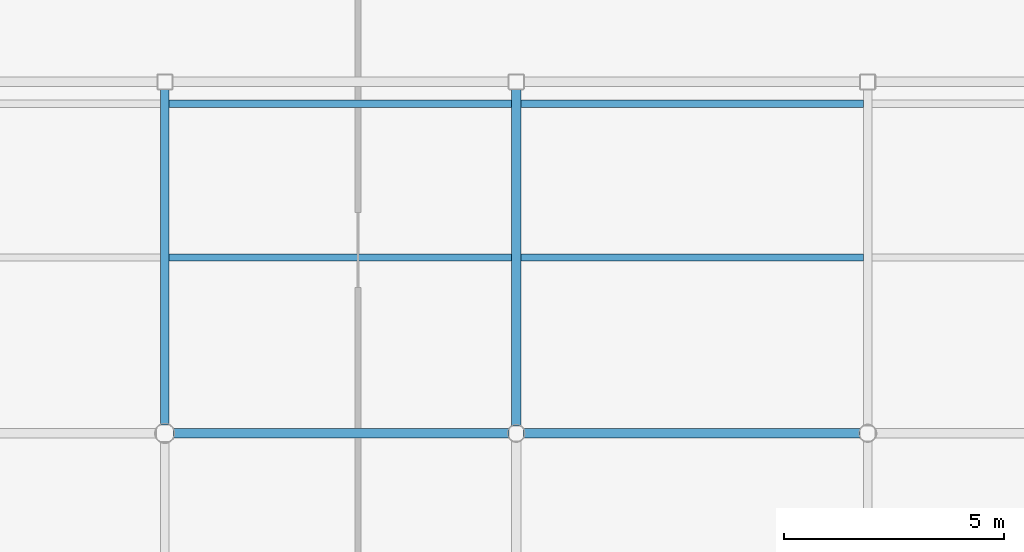
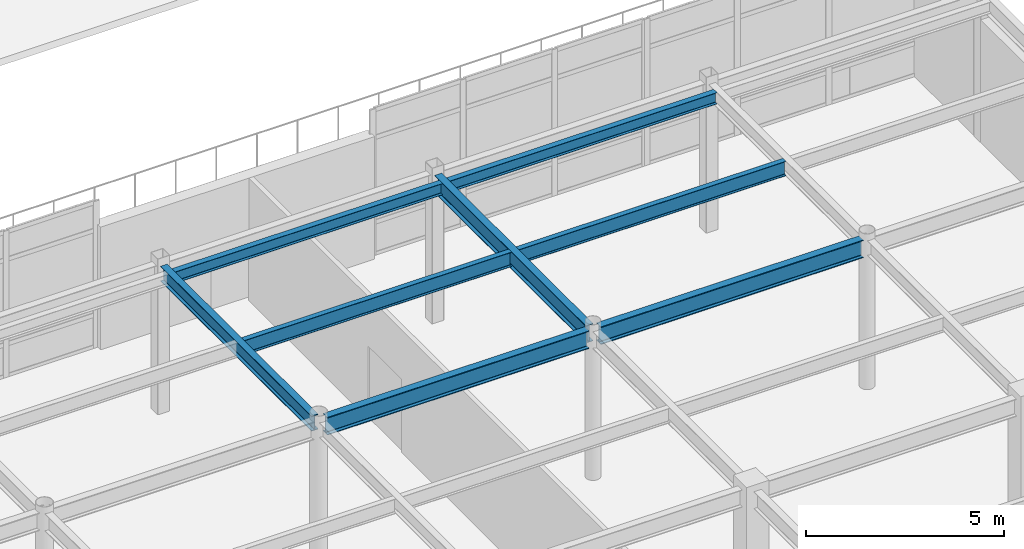
# One storey, part 41 of 117: 8 beams.
"""IFC4 building model written with IfcOpenShell, lengths in metres."""

from ifc_helpers import new_model, si_unit, direction, frame, origin, origin_2d, place, context, subcontext, project, spatial, i_section, extrude, material, material_profile, profile_set, type_object, element, save


model = new_model("IFC4")

# Units and contexts
model_context = context("Model", 3, precision=1e-05, world=origin(), true_north=direction((0.0, 1.0)))
body_context = subcontext(model_context, "Body", "Model", "MODEL_VIEW")
ifc_project = project(units=[si_unit("LENGTHUNIT", "METRE"), si_unit("AREAUNIT", "SQUARE_METRE"), si_unit("VOLUMEUNIT", "CUBIC_METRE"), si_unit("PLANEANGLEUNIT", "RADIAN"), si_unit("MASSUNIT", "GRAM", prefix="KILO")], contexts=[model_context])

# Site, building, storey
site_placement = place(None, origin())
site = spatial("IfcSite", under=ifc_project, at=site_placement, CompositionType="ELEMENT")
building_placement = place(site_placement, origin())
building = spatial("IfcBuilding", under=site, at=building_placement, Name="Solmirada Galleria", CompositionType="ELEMENT")
storey_placement = place(building_placement, frame((0.0, 0.0, 5.60009765625)))
storey = spatial("IfcBuildingStorey", under=building, at=storey_placement, Name="L01", CompositionType="ELEMENT", Elevation=5.60009765625)

# Beams
ifc_material = material(Name="Steel S355 / ASTM A992 Grade 50", Category="steel")
ifc_material_profile_1 = material_profile(ifc_material, i_section(OverallWidth=0.194091796875, OverallDepth=0.468994140625, WebThickness=0.0126953125, FlangeThickness=0.0205078125, FilletRadius=0.013916015625, at=origin_2d()), Name="W18X71")
ifc_profile_set_1 = profile_set([ifc_material_profile_1], Name="Steel S355 / ASTM A992 Grade 50")
beam_type_1 = type_object("IfcBeamType", Name="BM-GIRD-W18B", PredefinedType="BEAM", material=ifc_profile_set_1)
beam_1_placement = place(storey_placement, frame((120.0, 32.19189453125, 4.325439453125), z_axis=(0.0, 1.0, 0.0), x_axis=(-1.0, 0.0, 0.0)))
element("IfcBeam", 1, at=beam_1_placement, inside=storey, type_object=beam_type_1, Name="Primary girder L02 Y(120, 32..40)", PredefinedType="BEAM", context=body_context, shape_type="SweptSolid", body=[
    extrude(i_section(OverallWidth=0.194091796875, OverallDepth=0.468994140625, WebThickness=0.0126953125, FlangeThickness=0.0205078125, FilletRadius=0.013916015625, at=origin_2d()), origin(), (0.0, 0.0, 1.0), 7.630126953125),
])
ifc_material_profile_2 = material_profile(ifc_material, i_section(OverallWidth=0.214111328125, OverallDepth=0.549072265625, WebThickness=0.0146484375, FlangeThickness=0.023681640625, FilletRadius=0.014892578125, at=origin_2d()), Name="W21X93")
ifc_profile_set_2 = profile_set([ifc_material_profile_2], Name="Steel S355 / ASTM A992 Grade 50")
beam_type_2 = type_object("IfcBeamType", Name="BM-GIRD-W21A", PredefinedType="BEAM", material=ifc_profile_set_2)
beam_2_placement = place(storey_placement, frame((120.19189453125, 32.0, 4.325439453125), z_axis=(1.0, 0.0, 0.0), x_axis=(0.0, 1.0, 0.0)))
element("IfcBeam", 2, at=beam_2_placement, inside=storey, type_object=beam_type_2, Name="Primary beam L02 X(120..128, 32)", PredefinedType="BEAM", context=body_context, shape_type="SweptSolid", body=[
    extrude(i_section(OverallWidth=0.214111328125, OverallDepth=0.549072265625, WebThickness=0.0146484375, FlangeThickness=0.023681640625, FilletRadius=0.014892578125, at=origin_2d()), origin(), (0.0, 0.0, 1.0), 7.6376953125),
])
beam_3_placement = place(storey_placement, frame((128.17041015625, 32.0, 4.325439453125), z_axis=(1.0, 0.0, 0.0), x_axis=(0.0, 1.0, 0.0)))
element("IfcBeam", 3, at=beam_3_placement, inside=storey, type_object=beam_type_2, Name="Primary beam L02 X(128..136, 32)", PredefinedType="BEAM", context=body_context, shape_type="SweptSolid", body=[
    extrude(i_section(OverallWidth=0.214111328125, OverallDepth=0.549072265625, WebThickness=0.0146484375, FlangeThickness=0.023681640625, FilletRadius=0.014892578125, at=origin_2d()), origin(), (0.0, 0.0, 1.0), 7.6591796875),
])
ifc_material_profile_3 = material_profile(ifc_material, i_section(OverallWidth=0.2099609375, OverallDepth=0.537109375, WebThickness=0.010986328125, FlangeThickness=0.017333984375, FilletRadius=0.014892578125, at=origin_2d()), Name="W21X68")
ifc_profile_set_3 = profile_set([ifc_material_profile_3], Name="Steel S355 / ASTM A992 Grade 50")
beam_type_3 = type_object("IfcBeamType", Name="BM-GIRD-W21B", PredefinedType="BEAM", material=ifc_profile_set_3)
beam_4_placement = place(storey_placement, frame((128.0, 32.17041015625, 4.29150390625), z_axis=(0.0, 1.0, 0.0), x_axis=(-1.0, 0.0, 0.0)))
element("IfcBeam", 4, at=beam_4_placement, inside=storey, type_object=beam_type_3, Name="Primary girder L02 Y(128, 32..40)", PredefinedType="BEAM", context=body_context, shape_type="SweptSolid", body=[
    extrude(i_section(OverallWidth=0.2099609375, OverallDepth=0.537109375, WebThickness=0.010986328125, FlangeThickness=0.017333984375, FilletRadius=0.014892578125, at=origin_2d()), origin(), (0.0, 0.0, 1.0), 7.651611328125),
])
ifc_material_profile_4 = material_profile(ifc_material, i_section(OverallWidth=0.1708984375, OverallDepth=0.35205078125, WebThickness=0.0068359375, FlangeThickness=0.009765625, FilletRadius=0.010986328125, at=origin_2d()), Name="W14X30")
ifc_profile_set_4 = profile_set([ifc_material_profile_4], Name="Steel S355 / ASTM A992 Grade 50")
beam_type_4 = type_object("IfcBeamType", Name="BM-JST-W14B", PredefinedType="JOIST", material=ifc_profile_set_4)
for number, where, z_axis, x_axis, name in (
    (5, (120.096923828125, 39.5, 4.3837890625), (1.0, 0.0, 0.0), (0.0, 1.0, 0.0), "Terrace deck joist L02-TERR-SE X=120..128 (1)"),
    (6, (128.10498046875, 39.5, 4.3837890625), (1.0, 0.0, 0.0), (0.0, 1.0, 0.0), "Terrace deck joist L02-TERR-SE X=128..136 (1)"),
):
    element("IfcBeam", number, at=place(storey_placement, frame(where, z_axis=z_axis, x_axis=x_axis)), inside=storey, type_object=beam_type_4, Name=name, PredefinedType="JOIST", context=body_context, shape_type="SweptSolid", body=[
        extrude(i_section(OverallWidth=0.1708984375, OverallDepth=0.35205078125, WebThickness=0.0068359375, FlangeThickness=0.009765625, FilletRadius=0.010986328125, at=origin_2d()), origin(), (0.0, 0.0, 1.0), 7.798095703125),
    ])
ifc_material_profile_5 = material_profile(ifc_material, i_section(OverallWidth=0.152099609375, OverallDepth=0.449951171875, WebThickness=0.007568359375, FlangeThickness=0.0107421875, FilletRadius=0.011962890625, at=origin_2d()), Name="W18X35")
ifc_profile_set_5 = profile_set([ifc_material_profile_5], Name="Steel S355 / ASTM A992 Grade 50")
beam_type_5 = type_object("IfcBeamType", Name="BM-JST-W18B", PredefinedType="JOIST", material=ifc_profile_set_5)
for number, where, z_axis, x_axis, name in (
    (7, (120.096923828125, 36.0, 4.3349609375), (1.0, 0.0, 0.0), (0.0, 1.0, 0.0), "Composite floor joist L02 (120..128, 36.0)"),
    (8, (128.10498046875, 36.0, 4.3349609375), (1.0, 0.0, 0.0), (0.0, 1.0, 0.0), "Composite floor joist L02 (128..136, 36.0)"),
):
    element("IfcBeam", number, at=place(storey_placement, frame(where, z_axis=z_axis, x_axis=x_axis)), inside=storey, type_object=beam_type_5, Name=name, PredefinedType="JOIST", context=body_context, shape_type="SweptSolid", body=[
        extrude(i_section(OverallWidth=0.152099609375, OverallDepth=0.449951171875, WebThickness=0.007568359375, FlangeThickness=0.0107421875, FilletRadius=0.011962890625, at=origin_2d()), origin(), (0.0, 0.0, 1.0), 7.798095703125),
    ])

save(model, "model.ifc")
